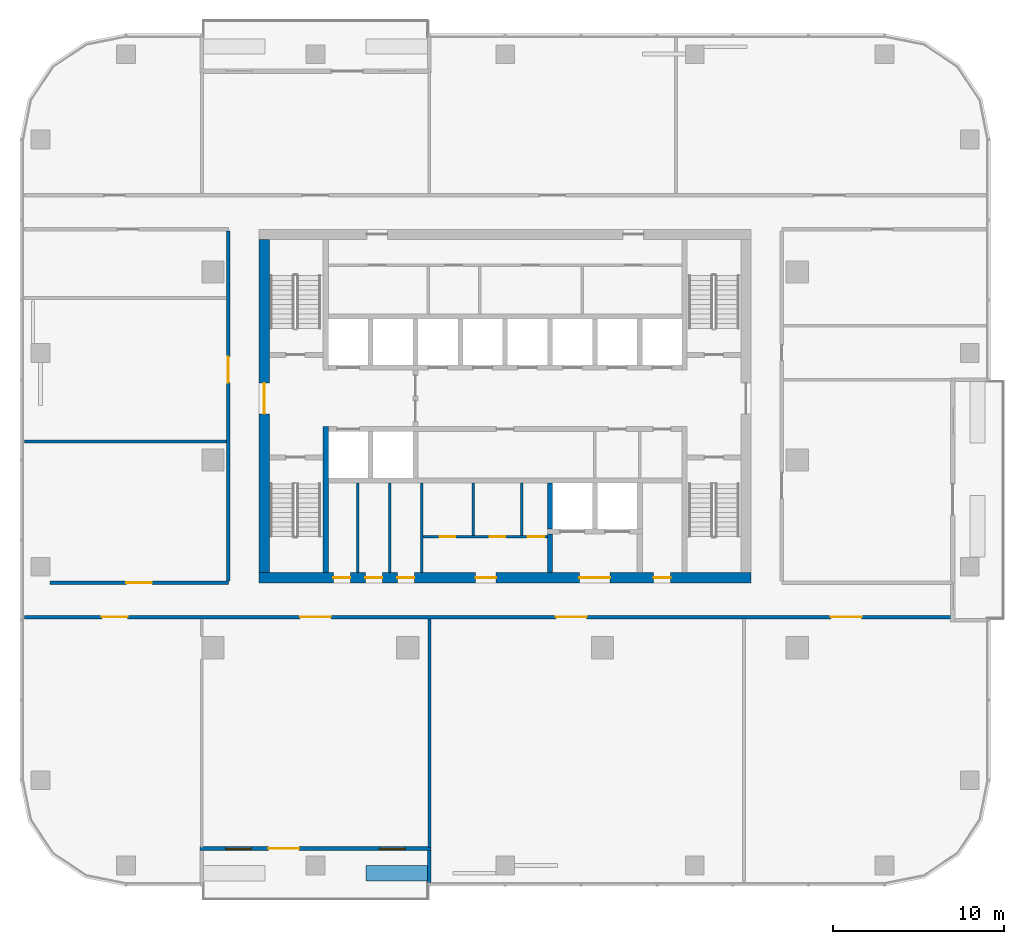
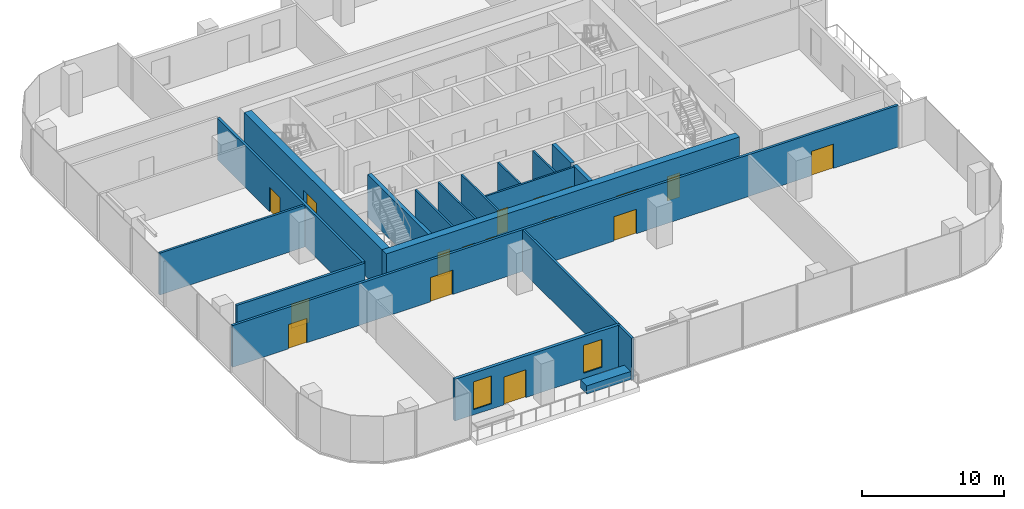
# One storey, part 7 of 14: 19 walls, 17 doors, 2 windows, 19 openings.
"""IFC4 building model written with IfcOpenShell, lengths in metres."""

from ifc_helpers import new_model, si_unit, direction, frame, frame_2d, origin, place, context, subcontext, project, spatial, rectangle, extrude, material, layer, layer_set, type_object, element, fill, save


model = new_model("IFC4")

# Units and contexts
model_context = context("Model", 3, precision=1e-05, world=origin(), true_north=direction((0.0, 1.0)))
body_context = subcontext(model_context, "Body", "Model", "MODEL_VIEW")
ifc_project = project(units=[si_unit("LENGTHUNIT", "METRE"), si_unit("AREAUNIT", "SQUARE_METRE"), si_unit("VOLUMEUNIT", "CUBIC_METRE"), si_unit("PLANEANGLEUNIT", "RADIAN"), si_unit("MASSUNIT", "GRAM", prefix="KILO")], contexts=[model_context])

# Site, building, storey
site_placement = place(None, origin())
site = spatial("IfcSite", under=ifc_project, at=site_placement, CompositionType="ELEMENT")
building_placement = place(site_placement, origin())
building = spatial("IfcBuilding", under=site, at=building_placement, Name="Mopane Tessera Tower", CompositionType="ELEMENT")
storey_placement = place(building_placement, frame((0.0, 0.0, 231.0)))
storey = spatial("IfcBuildingStorey", under=building, at=storey_placement, Name="L49", CompositionType="ELEMENT", Elevation=231.0)

# Walls
ifc_material_1 = material(Name="Fire-rated gypsum board partition")
ifc_layer_1 = layer(ifc_material_1, 0.14990234375)
ifc_layer_set_1 = layer_set([ifc_layer_1], Name="Fire-rated gypsum board partition")
wall_type_1 = type_object("IfcWallType", Name="Core room partition 150 mm", PredefinedType="PARTITIONING", material=ifc_layer_set_1)
for number, where, z_axis, x_axis, name in (
    (1, (-8.625, -6.60009765625, 0.0), (0.0, 0.0, 1.0), (0.0, 1.0, 0.0), "L49 Room partition"),
    (2, (-6.75, -6.60009765625, 0.0), (0.0, 0.0, 1.0), (0.0, 1.0, 0.0), "L49 Room partition"),
    (3, (-4.875, -6.60009765625, 0.0), (0.0, 0.0, 1.0), (0.0, 1.0, 0.0), "L49 Room partition"),
):
    element("IfcWall", number, at=place(storey_placement, frame(where, z_axis=z_axis, x_axis=x_axis)), inside=storey, type_object=wall_type_1, Name=name, PredefinedType="PARTITIONING", context=body_context, shape_type="SweptSolid", body=[
        extrude(rectangle(XDim=5.25, YDim=0.14990234375, at=frame_2d((2.625, 0.0))), origin(), (0.0, 0.0, 1.0), 3.699951171875),
    ])

# Wall, openings, doors
wall_1_placement = place(storey_placement, frame((-4.800048828125, -4.5, 0.0), z_axis=(0.0, 0.0, 1.0), x_axis=(1.0, 0.0, 0.0)))
wall_1 = element("IfcWall", 4, at=wall_1_placement, inside=storey, type_object=wall_type_1, Name="L49 WC partition", PredefinedType="PARTITIONING", context=body_context, shape_type="SweptSolid", body=[
    extrude(rectangle(XDim=7.275146484375, YDim=0.14990234375, at=frame_2d((3.6376953125, 0.0))), origin(), (0.0, 0.0, 1.0), 3.699951171875),
])
opening_1_placement = place(wall_1_placement, frame((0.97509765625, 0.0, 0.0)))
opening_1 = element("IfcOpeningElement", 5, at=opening_1_placement, cuts=wall_1, Name="Opening WD1", PredefinedType="OPENING", context=body_context, shape_type="SweptSolid", body=[
    extrude(rectangle(XDim=0.89990234375, YDim=2.10009765625, at=frame_2d((0.449951171875, 1.050048828125))), frame((0.0, 0.0869140625, 0.0), z_axis=(0.0, -1.0, 0.0), x_axis=(1.0, 0.0, 0.0)), (0.0, 0.0, 1.0), 0.173828125),
])
opening_2_placement = place(wall_1_placement, frame((3.89990234375, 0.0, 0.0)))
opening_2 = element("IfcOpeningElement", 6, at=opening_2_placement, cuts=wall_1, Name="Opening WD1", PredefinedType="OPENING", context=body_context, shape_type="SweptSolid", body=[
    extrude(rectangle(XDim=0.89990234375, YDim=2.10009765625, at=frame_2d((0.449951171875, 1.050048828125))), frame((0.0, 0.0869140625, 0.0), z_axis=(0.0, -1.0, 0.0), x_axis=(1.0, 0.0, 0.0)), (0.0, 0.0, 1.0), 0.173828125),
])
opening_3_placement = place(wall_1_placement, frame((6.125, 0.0, 0.0)))
opening_3 = element("IfcOpeningElement", 7, at=opening_3_placement, cuts=wall_1, Name="Opening WD2", PredefinedType="OPENING", context=body_context, shape_type="SweptSolid", body=[
    extrude(rectangle(XDim=0.949951171875, YDim=2.10009765625, at=frame_2d((0.47509765625, 1.050048828125))), frame((0.0, 0.0869140625, 0.0), z_axis=(0.0, -1.0, 0.0), x_axis=(1.0, 0.0, 0.0)), (0.0, 0.0, 1.0), 0.173828125),
])
ifc_material_2 = material(Name="Timber door", Category="wood")
door_type_1 = type_object("IfcDoorType", Name="Accessible WC door 950 x 2100", OperationType="SINGLE_SWING_LEFT", PredefinedType="DOOR", material=ifc_material_2)
door_1_placement = place(opening_3_placement, origin())
door_1 = element("IfcDoor", 8, at=door_1_placement, inside=storey, type_object=door_type_1, Name="L49 Accessible WC door", OperationType="SINGLE_SWING_LEFT", OverallHeight=2.10009765625, OverallWidth=0.949951171875, PredefinedType="DOOR", context=body_context, shape_type="SweptSolid", body=[
    extrude(rectangle(XDim=0.949951171875, YDim=2.10009765625, at=frame_2d((0.47509765625, 1.050048828125))), frame((0.0, 0.02490234375, 0.0), z_axis=(0.0, -1.0, 0.0), x_axis=(1.0, 0.0, 0.0)), (0.0, 0.0, 1.0), 0.050048828125),
])
fill(opening_3, door_1)
ifc_material_3 = material(Name="Timber door", Category="wood")
door_type_2 = type_object("IfcDoorType", Name="WC cubicle door 900 x 2100", OperationType="SINGLE_SWING_LEFT", PredefinedType="DOOR", material=ifc_material_3)
door_2_placement = place(opening_1_placement, origin())
door_2 = element("IfcDoor", 9, at=door_2_placement, inside=storey, type_object=door_type_2, Name="L49 Men's WC door", OperationType="SINGLE_SWING_LEFT", OverallHeight=2.10009765625, OverallWidth=0.89990234375, PredefinedType="DOOR", context=body_context, shape_type="SweptSolid", body=[
    extrude(rectangle(XDim=0.89990234375, YDim=2.10009765625, at=frame_2d((0.449951171875, 1.050048828125))), frame((0.0, 0.02490234375, 0.0), z_axis=(0.0, -1.0, 0.0), x_axis=(1.0, 0.0, 0.0)), (0.0, 0.0, 1.0), 0.050048828125),
])
fill(opening_1, door_2)
door_3_placement = place(opening_2_placement, origin())
door_3 = element("IfcDoor", 10, at=door_3_placement, inside=storey, type_object=door_type_2, Name="L49 Women's WC door", OperationType="SINGLE_SWING_LEFT", OverallHeight=2.10009765625, OverallWidth=0.89990234375, PredefinedType="DOOR", context=body_context, shape_type="SweptSolid", body=[
    extrude(rectangle(XDim=0.89990234375, YDim=2.10009765625, at=frame_2d((0.449951171875, 1.050048828125))), frame((0.0, 0.02490234375, 0.0), z_axis=(0.0, -1.0, 0.0), x_axis=(1.0, 0.0, 0.0)), (0.0, 0.0, 1.0), 0.050048828125),
])
fill(opening_2, door_3)

# Walls
for number, where, z_axis, x_axis, name in (
    (11, (-1.875, -4.425048828125, 0.0), (0.0, 0.0, 1.0), (0.0, 1.0, 0.0), "L49 WC partition"),
    (12, (0.97509765625, -4.425048828125, 0.0), (0.0, 0.0, 1.0), (0.0, 1.0, 0.0), "L49 WC partition"),
):
    element("IfcWall", number, at=place(storey_placement, frame(where, z_axis=z_axis, x_axis=x_axis)), inside=storey, type_object=wall_type_1, Name=name, PredefinedType="PARTITIONING", context=body_context, shape_type="SweptSolid", body=[
        extrude(rectangle(XDim=3.074951171875, YDim=0.14990234375, at=frame_2d((1.53759765625, 0.0))), origin(), (0.0, 0.0, 1.0), 3.699951171875),
    ])

# Wall, openings, doors
ifc_material_4 = material(Name="Concrete C70/85", Category="concrete")
ifc_layer_2 = layer(ifc_material_4, 0.60009765625)
ifc_layer_set_2 = layer_set([ifc_layer_2], Name="Concrete C70/85")
wall_type_2 = type_object("IfcWallType", Name="Core shear wall 600 mm", PredefinedType="SHEAR", material=ifc_layer_set_2)
wall_2_placement = place(storey_placement, frame((-14.39990234375, -6.89990234375, 0.0), z_axis=(0.0, 0.0, 1.0), x_axis=(1.0, 0.0, 0.0)))
wall_2 = element("IfcWall", 13, at=wall_2_placement, inside=storey, type_object=wall_type_2, Name="L49 Core wall south", PredefinedType="SHEAR", context=body_context, shape_type="SweptSolid", body=[
    extrude(rectangle(XDim=28.7998046875, YDim=0.60009765625, at=frame_2d((14.39990234375, 0.0))), origin(), (0.0, 0.0, 1.0), 3.699951171875),
])
opening_4_placement = place(wall_2_placement, frame((4.33740234375, 0.0, 0.0)))
opening_4 = element("IfcOpeningElement", 14, at=opening_4_placement, cuts=wall_2, Name="Opening RD1", PredefinedType="OPENING", context=body_context, shape_type="SweptSolid", body=[
    extrude(rectangle(XDim=1.0, YDim=2.10009765625, at=frame_2d((0.5, 1.050048828125))), frame((0.0, 0.31201171875, 0.0), z_axis=(0.0, -1.0, 0.0), x_axis=(1.0, 0.0, 0.0)), (0.0, 0.0, 1.0), 0.6240234375),
])
opening_5_placement = place(wall_2_placement, frame((6.21240234375, 0.0, 0.0)))
opening_5 = element("IfcOpeningElement", 15, at=opening_5_placement, cuts=wall_2, Name="Opening RD1", PredefinedType="OPENING", context=body_context, shape_type="SweptSolid", body=[
    extrude(rectangle(XDim=1.0, YDim=2.10009765625, at=frame_2d((0.5, 1.050048828125))), frame((0.0, 0.31201171875, 0.0), z_axis=(0.0, -1.0, 0.0), x_axis=(1.0, 0.0, 0.0)), (0.0, 0.0, 1.0), 0.6240234375),
])
opening_6_placement = place(wall_2_placement, frame((8.08740234375, 0.0, 0.0)))
opening_6 = element("IfcOpeningElement", 16, at=opening_6_placement, cuts=wall_2, Name="Opening RD1", PredefinedType="OPENING", context=body_context, shape_type="SweptSolid", body=[
    extrude(rectangle(XDim=1.0, YDim=2.10009765625, at=frame_2d((0.5, 1.050048828125))), frame((0.0, 0.31201171875, 0.0), z_axis=(0.0, -1.0, 0.0), x_axis=(1.0, 0.0, 0.0)), (0.0, 0.0, 1.0), 0.6240234375),
])
opening_7_placement = place(wall_2_placement, frame((12.675048828125, 0.0, 0.0)))
opening_7 = element("IfcOpeningElement", 17, at=opening_7_placement, cuts=wall_2, Name="Opening WD3", PredefinedType="OPENING", context=body_context, shape_type="SweptSolid", body=[
    extrude(rectangle(XDim=1.199951171875, YDim=2.10009765625, at=frame_2d((0.60009765625, 1.050048828125))), frame((0.0, 0.31201171875, 0.0), z_axis=(0.0, -1.0, 0.0), x_axis=(1.0, 0.0, 0.0)), (0.0, 0.0, 1.0), 0.6240234375),
])
opening_8_placement = place(wall_2_placement, frame((18.75, 0.0, 0.0)))
opening_8 = element("IfcOpeningElement", 18, at=opening_8_placement, cuts=wall_2, Name="Opening SD2", PredefinedType="OPENING", context=body_context, shape_type="SweptSolid", body=[
    extrude(rectangle(XDim=1.800048828125, YDim=2.10009765625, at=frame_2d((0.89990234375, 1.050048828125))), frame((0.0, 0.31201171875, 0.0), z_axis=(0.0, -1.0, 0.0), x_axis=(1.0, 0.0, 0.0)), (0.0, 0.0, 1.0), 0.6240234375),
])
opening_9_placement = place(wall_2_placement, frame((23.08740234375, 0.0, 0.0)))
opening_9 = element("IfcOpeningElement", 19, at=opening_9_placement, cuts=wall_2, Name="Opening RD1", PredefinedType="OPENING", context=body_context, shape_type="SweptSolid", body=[
    extrude(rectangle(XDim=1.0, YDim=2.10009765625, at=frame_2d((0.5, 1.050048828125))), frame((0.0, 0.31201171875, 0.0), z_axis=(0.0, -1.0, 0.0), x_axis=(1.0, 0.0, 0.0)), (0.0, 0.0, 1.0), 0.6240234375),
])
ifc_material_5 = material(Name="Steel fire door", Category="steel")
door_type_3 = type_object("IfcDoorType", Name="Core entrance double door 1800 x 2100", OperationType="DOUBLE_DOOR_SINGLE_SWING", PredefinedType="DOOR", material=ifc_material_5)
door_4_placement = place(opening_8_placement, origin())
door_4 = element("IfcDoor", 20, at=door_4_placement, inside=storey, type_object=door_type_3, Name="L49 Service lobby door", OperationType="DOUBLE_DOOR_SINGLE_SWING", OverallHeight=2.10009765625, OverallWidth=1.800048828125, PredefinedType="DOOR", context=body_context, shape_type="SweptSolid", body=[
    extrude(rectangle(XDim=1.800048828125, YDim=2.10009765625, at=frame_2d((0.89990234375, 1.050048828125))), frame((0.0, 0.02490234375, 0.0), z_axis=(0.0, -1.0, 0.0), x_axis=(1.0, 0.0, 0.0)), (0.0, 0.0, 1.0), 0.050048828125),
])
fill(opening_8, door_4)
ifc_material_6 = material(Name="Timber door", Category="wood")
door_type_4 = type_object("IfcDoorType", Name="Core room door 1000 x 2100", OperationType="SINGLE_SWING_LEFT", PredefinedType="DOOR", material=ifc_material_6)
door_5_placement = place(opening_4_placement, origin())
door_5 = element("IfcDoor", 21, at=door_5_placement, inside=storey, type_object=door_type_4, Name="L49 Room door", OperationType="SINGLE_SWING_LEFT", OverallHeight=2.10009765625, OverallWidth=1.0, PredefinedType="DOOR", context=body_context, shape_type="SweptSolid", body=[
    extrude(rectangle(XDim=1.0, YDim=2.10009765625, at=frame_2d((0.5, 1.050048828125))), frame((0.0, 0.02490234375, 0.0), z_axis=(0.0, -1.0, 0.0), x_axis=(1.0, 0.0, 0.0)), (0.0, 0.0, 1.0), 0.050048828125),
])
fill(opening_4, door_5)
door_6_placement = place(opening_5_placement, origin())
door_6 = element("IfcDoor", 22, at=door_6_placement, inside=storey, type_object=door_type_4, Name="L49 Room door", OperationType="SINGLE_SWING_LEFT", OverallHeight=2.10009765625, OverallWidth=1.0, PredefinedType="DOOR", context=body_context, shape_type="SweptSolid", body=[
    extrude(rectangle(XDim=1.0, YDim=2.10009765625, at=frame_2d((0.5, 1.050048828125))), frame((0.0, 0.02490234375, 0.0), z_axis=(0.0, -1.0, 0.0), x_axis=(1.0, 0.0, 0.0)), (0.0, 0.0, 1.0), 0.050048828125),
])
fill(opening_5, door_6)
door_7_placement = place(opening_6_placement, origin())
door_7 = element("IfcDoor", 23, at=door_7_placement, inside=storey, type_object=door_type_4, Name="L49 Room door", OperationType="SINGLE_SWING_LEFT", OverallHeight=2.10009765625, OverallWidth=1.0, PredefinedType="DOOR", context=body_context, shape_type="SweptSolid", body=[
    extrude(rectangle(XDim=1.0, YDim=2.10009765625, at=frame_2d((0.5, 1.050048828125))), frame((0.0, 0.02490234375, 0.0), z_axis=(0.0, -1.0, 0.0), x_axis=(1.0, 0.0, 0.0)), (0.0, 0.0, 1.0), 0.050048828125),
])
fill(opening_6, door_7)
door_8_placement = place(opening_9_placement, origin())
door_8 = element("IfcDoor", 24, at=door_8_placement, inside=storey, type_object=door_type_4, Name="L49 Room door", OperationType="SINGLE_SWING_LEFT", OverallHeight=2.10009765625, OverallWidth=1.0, PredefinedType="DOOR", context=body_context, shape_type="SweptSolid", body=[
    extrude(rectangle(XDim=1.0, YDim=2.10009765625, at=frame_2d((0.5, 1.050048828125))), frame((0.0, 0.02490234375, 0.0), z_axis=(0.0, -1.0, 0.0), x_axis=(1.0, 0.0, 0.0)), (0.0, 0.0, 1.0), 0.050048828125),
])
fill(opening_9, door_8)
ifc_material_7 = material(Name="Timber door", Category="wood")
door_type_5 = type_object("IfcDoorType", Name="WC lobby door 1200 x 2100", OperationType="SINGLE_SWING_LEFT", PredefinedType="DOOR", material=ifc_material_7)
door_9_placement = place(opening_7_placement, origin())
door_9 = element("IfcDoor", 25, at=door_9_placement, inside=storey, type_object=door_type_5, Name="L49 WC lobby door", OperationType="SINGLE_SWING_LEFT", OverallHeight=2.10009765625, OverallWidth=1.199951171875, PredefinedType="DOOR", context=body_context, shape_type="SweptSolid", body=[
    extrude(rectangle(XDim=1.199951171875, YDim=2.10009765625, at=frame_2d((0.60009765625, 1.050048828125))), frame((0.0, 0.02490234375, 0.0), z_axis=(0.0, -1.0, 0.0), x_axis=(1.0, 0.0, 0.0)), (0.0, 0.0, 1.0), 0.050048828125),
])
fill(opening_7, door_9)

# Wall, opening, door
wall_3_placement = place(storey_placement, frame((-14.10009765625, -6.60009765625, 0.0), z_axis=(0.0, 0.0, 1.0), x_axis=(0.0, 1.0, 0.0)))
wall_3 = element("IfcWall", 26, at=wall_3_placement, inside=storey, type_object=wall_type_2, Name="L49 Core wall west", PredefinedType="SHEAR", context=body_context, shape_type="SweptSolid", body=[
    extrude(rectangle(XDim=19.5, YDim=0.60009765625, at=frame_2d((9.75, 0.0))), origin(), (0.0, 0.0, 1.0), 3.699951171875),
])
opening_10_placement = place(wall_3_placement, frame((9.300048828125, 0.0, 0.0)))
opening_10 = element("IfcOpeningElement", 27, at=opening_10_placement, cuts=wall_3, Name="Opening SD2", PredefinedType="OPENING", context=body_context, shape_type="SweptSolid", body=[
    extrude(rectangle(XDim=1.800048828125, YDim=2.10009765625, at=frame_2d((0.89990234375, 1.050048828125))), frame((0.0, 0.31201171875, 0.0), z_axis=(0.0, -1.0, 0.0), x_axis=(1.0, 0.0, 0.0)), (0.0, 0.0, 1.0), 0.6240234375),
])
door_10_placement = place(opening_10_placement, origin())
door_10 = element("IfcDoor", 28, at=door_10_placement, inside=storey, type_object=door_type_3, Name="L49 Core entrance door west", OperationType="DOUBLE_DOOR_SINGLE_SWING", OverallHeight=2.10009765625, OverallWidth=1.800048828125, PredefinedType="DOOR", context=body_context, shape_type="SweptSolid", body=[
    extrude(rectangle(XDim=1.800048828125, YDim=2.10009765625, at=frame_2d((0.89990234375, 1.050048828125))), frame((0.0, 0.02490234375, 0.0), z_axis=(0.0, -1.0, 0.0), x_axis=(1.0, 0.0, 0.0)), (0.0, 0.0, 1.0), 0.050048828125),
])
fill(opening_10, door_10)

# Walls
ifc_material_8 = material(Name="Concrete C60/75", Category="concrete")
ifc_layer_3 = layer(ifc_material_8, 0.300048828125)
ifc_layer_set_3 = layer_set([ifc_layer_3], Name="Concrete C60/75")
wall_type_3 = type_object("IfcWallType", Name="Core spine wall 300 mm", PredefinedType="SHEAR", material=ifc_layer_set_3)
wall_4_placement = place(storey_placement, frame((-10.5, -6.60009765625, 0.0), z_axis=(0.0, 0.0, 1.0), x_axis=(0.0, 1.0, 0.0)))
element("IfcWall", 29, at=wall_4_placement, inside=storey, type_object=wall_type_3, Name="L49 Core spine wall", PredefinedType="SHEAR", context=body_context, shape_type="SweptSolid", body=[
    extrude(rectangle(XDim=8.550048828125, YDim=0.300048828125, at=frame_2d((4.27490234375, 0.0))), origin(), (0.0, 0.0, 1.0), 3.699951171875),
])
ifc_material_9 = material(Name="Gypsum board on staggered steel studs, double layer each face, acoustic mineral wool infill", Category="steel")
ifc_layer_4 = layer(ifc_material_9, 0.175048828125)
ifc_layer_set_4 = layer_set([ifc_layer_4], Name="Gypsum board on staggered steel studs, double layer each face, acoustic mineral wool infill")
wall_type_4 = type_object("IfcWallType", Name="Gypsum board acoustic partition 175, rated EI 60", PredefinedType="PARTITIONING", material=ifc_layer_set_4)
wall_5_placement = place(storey_placement, frame((-28.14990234375, 1.074951171875, 0.0), z_axis=(0.0, 0.0, 1.0), x_axis=(1.0, 0.0, 0.0)))
element("IfcWall", 30, at=wall_5_placement, inside=storey, type_object=wall_type_4, Name="Partition L49:003", PredefinedType="PARTITIONING", context=body_context, shape_type="SweptSolid", body=[
    extrude(rectangle(XDim=11.849853515625, YDim=0.175048828125, at=frame_2d((5.9248046875, 0.0))), origin(), (0.0, 0.0, 1.0), 3.60009765625),
])
wall_6_placement = place(storey_placement, frame((-4.43994140625, -22.699951171875, 0.0), z_axis=(0.0, 0.0, 1.0), x_axis=(0.0, 1.0, 0.0)))
element("IfcWall", 31, at=wall_6_placement, inside=storey, type_object=wall_type_4, Name="Partition L49:015", PredefinedType="PARTITIONING", context=body_context, shape_type="SweptSolid", body=[
    extrude(rectangle(XDim=13.39990234375, YDim=0.175048828125, at=frame_2d((6.699951171875, 0.0))), origin(), (0.0, 0.0, 1.0), 3.60009765625),
])

# Wall, openings, doors
ifc_material_10 = material(Name="Gypsum board on steel studs, two layers each face, mineral wool infill", Category="steel")
ifc_layer_5 = layer(ifc_material_10, 0.199951171875)
ifc_layer_set_5 = layer_set([ifc_layer_5], Name="Gypsum board on steel studs, two layers each face, mineral wool infill")
wall_type_5 = type_object("IfcWallType", Name="Gypsum board corridor wall 200, rated EI 60", PredefinedType="PARTITIONING", material=ifc_layer_set_5)
wall_7_placement = place(storey_placement, frame((-28.14990234375, -9.199951171875, 0.0), z_axis=(0.0, 0.0, 1.0), x_axis=(1.0, 0.0, 0.0)))
wall_7 = element("IfcWall", 32, at=wall_7_placement, inside=storey, type_object=wall_type_5, Name="Partition L49:000", PredefinedType="PARTITIONING", context=body_context, shape_type="SweptSolid", body=[
    extrude(rectangle(XDim=54.2998046875, YDim=0.199951171875, at=frame_2d((27.14990234375, 0.0))), origin(), (0.0, 0.0, 1.0), 3.60009765625),
])
opening_11_placement = place(wall_7_placement, frame((47.21240234375, 0.0, 0.0)))
opening_11 = element("IfcOpeningElement", 33, at=opening_11_placement, cuts=wall_7, Name="Opening L49-02", PredefinedType="OPENING", context=body_context, shape_type="SweptSolid", body=[
    extrude(rectangle(XDim=1.800048828125, YDim=2.10009765625, at=frame_2d((0.89990234375, 1.050048828125))), frame((0.0, 0.112060546875, 0.0), z_axis=(0.0, -1.0, 0.0), x_axis=(1.0, 0.0, 0.0)), (0.0, 0.0, 1.0), 0.223876953125),
])
opening_12_placement = place(wall_7_placement, frame((16.14990234375, 0.0, 0.0)))
opening_12 = element("IfcOpeningElement", 34, at=opening_12_placement, cuts=wall_7, Name="Opening L49-03", PredefinedType="OPENING", context=body_context, shape_type="SweptSolid", body=[
    extrude(rectangle(XDim=1.800048828125, YDim=2.10009765625, at=frame_2d((0.89990234375, 1.050048828125))), frame((0.0, 0.112060546875, 0.0), z_axis=(0.0, -1.0, 0.0), x_axis=(1.0, 0.0, 0.0)), (0.0, 0.0, 1.0), 0.223876953125),
])
opening_13_placement = place(wall_7_placement, frame((4.544921875, 0.0, 0.0)))
opening_13 = element("IfcOpeningElement", 35, at=opening_13_placement, cuts=wall_7, Name="Opening L49-08", PredefinedType="OPENING", context=body_context, shape_type="SweptSolid", body=[
    extrude(rectangle(XDim=1.5, YDim=2.10009765625, at=frame_2d((0.75, 1.050048828125))), frame((0.0, 0.112060546875, 0.0), z_axis=(0.0, -1.0, 0.0), x_axis=(1.0, 0.0, 0.0)), (0.0, 0.0, 1.0), 0.223876953125),
])
opening_14_placement = place(wall_7_placement, frame((31.117431640625, 0.0, 0.0)))
opening_14 = element("IfcOpeningElement", 36, at=opening_14_placement, cuts=wall_7, Name="Opening L49-14", PredefinedType="OPENING", context=body_context, shape_type="SweptSolid", body=[
    extrude(rectangle(XDim=1.800048828125, YDim=2.10009765625, at=frame_2d((0.89990234375, 1.050048828125))), frame((0.0, 0.112060546875, 0.0), z_axis=(0.0, -1.0, 0.0), x_axis=(1.0, 0.0, 0.0)), (0.0, 0.0, 1.0), 0.223876953125),
])
ifc_material_11 = material(Name="Timber veneered steel-framed fire door", Category="steel")
door_type_6 = type_object("IfcDoorType", Name="Fire door pair FD60 1500 x 2100", OperationType="DOUBLE_DOOR_SINGLE_SWING", PredefinedType="DOOR", material=ifc_material_11)
door_11_placement = place(opening_13_placement, origin())
door_11 = element("IfcDoor", 37, at=door_11_placement, inside=storey, type_object=door_type_6, Name="Door L49-08", ObjectType="D17A", OperationType="DOUBLE_DOOR_SINGLE_SWING", OverallHeight=2.10009765625, OverallWidth=1.5, PredefinedType="DOOR", context=body_context, shape_type="SweptSolid", body=[
    extrude(rectangle(XDim=1.5, YDim=2.10009765625, at=frame_2d((0.75, 1.050048828125))), frame((0.0, 0.02490234375, 0.0), z_axis=(0.0, -1.0, 0.0), x_axis=(1.0, 0.0, 0.0)), (0.0, 0.0, 1.0), 0.050048828125),
])
fill(opening_13, door_11)
ifc_material_12 = material(Name="Timber veneered steel-framed fire door", Category="steel")
door_type_7 = type_object("IfcDoorType", Name="Fire door pair FD60 1800 x 2100", OperationType="DOUBLE_DOOR_SINGLE_SWING", PredefinedType="DOOR", material=ifc_material_12)
door_12_placement = place(opening_11_placement, origin())
door_12 = element("IfcDoor", 38, at=door_12_placement, inside=storey, type_object=door_type_7, Name="Door L49-02", ObjectType="D20A", OperationType="DOUBLE_DOOR_SINGLE_SWING", OverallHeight=2.10009765625, OverallWidth=1.800048828125, PredefinedType="DOOR", context=body_context, shape_type="SweptSolid", body=[
    extrude(rectangle(XDim=1.800048828125, YDim=2.10009765625, at=frame_2d((0.89990234375, 1.050048828125))), frame((0.0, 0.02490234375, 0.0), z_axis=(0.0, -1.0, 0.0), x_axis=(1.0, 0.0, 0.0)), (0.0, 0.0, 1.0), 0.050048828125),
])
fill(opening_11, door_12)
door_13_placement = place(opening_12_placement, origin())
door_13 = element("IfcDoor", 39, at=door_13_placement, inside=storey, type_object=door_type_7, Name="Door L49-03", ObjectType="D20A", OperationType="DOUBLE_DOOR_SINGLE_SWING", OverallHeight=2.10009765625, OverallWidth=1.800048828125, PredefinedType="DOOR", context=body_context, shape_type="SweptSolid", body=[
    extrude(rectangle(XDim=1.800048828125, YDim=2.10009765625, at=frame_2d((0.89990234375, 1.050048828125))), frame((0.0, 0.02490234375, 0.0), z_axis=(0.0, -1.0, 0.0), x_axis=(1.0, 0.0, 0.0)), (0.0, 0.0, 1.0), 0.050048828125),
])
fill(opening_12, door_13)
door_14_placement = place(opening_14_placement, origin())
door_14 = element("IfcDoor", 40, at=door_14_placement, inside=storey, type_object=door_type_7, Name="Door L49-14", ObjectType="D20A", OperationType="DOUBLE_DOOR_SINGLE_SWING", OverallHeight=2.10009765625, OverallWidth=1.800048828125, PredefinedType="DOOR", context=body_context, shape_type="SweptSolid", body=[
    extrude(rectangle(XDim=1.800048828125, YDim=2.10009765625, at=frame_2d((0.89990234375, 1.050048828125))), frame((0.0, 0.02490234375, 0.0), z_axis=(0.0, -1.0, 0.0), x_axis=(1.0, 0.0, 0.0)), (0.0, 0.0, 1.0), 0.050048828125),
])
fill(opening_14, door_14)

# Wall, opening, door
wall_8_placement = place(storey_placement, frame((-26.64990234375, -7.199951171875, 0.0), z_axis=(0.0, 0.0, 1.0), x_axis=(1.0, 0.0, 0.0)))
wall_8 = element("IfcWall", 41, at=wall_8_placement, inside=storey, type_object=wall_type_5, Name="Partition L49:001", PredefinedType="PARTITIONING", context=body_context, shape_type="SweptSolid", body=[
    extrude(rectangle(XDim=10.449951171875, YDim=0.199951171875, at=frame_2d((5.22509765625, 0.0))), origin(), (0.0, 0.0, 1.0), 3.60009765625),
])
opening_15_placement = place(wall_8_placement, frame((4.47509765625, 0.0, 0.0)))
opening_15 = element("IfcOpeningElement", 42, at=opening_15_placement, cuts=wall_8, Name="Opening L49-09", PredefinedType="OPENING", context=body_context, shape_type="SweptSolid", body=[
    extrude(rectangle(XDim=1.5, YDim=2.10009765625, at=frame_2d((0.75, 1.050048828125))), frame((0.0, 0.112060546875, 0.0), z_axis=(0.0, -1.0, 0.0), x_axis=(1.0, 0.0, 0.0)), (0.0, 0.0, 1.0), 0.223876953125),
])
door_15_placement = place(opening_15_placement, origin())
door_15 = element("IfcDoor", 43, at=door_15_placement, inside=storey, type_object=door_type_6, Name="Door L49-09", ObjectType="D17A", OperationType="DOUBLE_DOOR_SINGLE_SWING", OverallHeight=2.10009765625, OverallWidth=1.5, PredefinedType="DOOR", context=body_context, shape_type="SweptSolid", body=[
    extrude(rectangle(XDim=1.5, YDim=2.10009765625, at=frame_2d((0.75, 1.050048828125))), frame((0.0, 0.02490234375, 0.0), z_axis=(0.0, -1.0, 0.0), x_axis=(1.0, 0.0, 0.0)), (0.0, 0.0, 1.0), 0.050048828125),
])
fill(opening_15, door_15)

wall_9_placement = place(storey_placement, frame((-16.199951171875, -7.10009765625, 0.0), z_axis=(0.0, 0.0, 1.0), x_axis=(0.0, 1.0, 0.0)))
wall_9 = element("IfcWall", 44, at=wall_9_placement, inside=storey, type_object=wall_type_5, Name="Partition L49:013", PredefinedType="PARTITIONING", context=body_context, shape_type="SweptSolid", body=[
    extrude(rectangle(XDim=20.5, YDim=0.199951171875, at=frame_2d((10.25, 0.0))), origin(), (0.0, 0.0, 1.0), 3.60009765625),
])
opening_16_placement = place(wall_9_placement, frame((11.6298828125, 0.0, 0.0)))
opening_16 = element("IfcOpeningElement", 45, at=opening_16_placement, cuts=wall_9, Name="Opening L49-13", PredefinedType="OPENING", context=body_context, shape_type="SweptSolid", body=[
    extrude(rectangle(XDim=1.5, YDim=2.10009765625, at=frame_2d((0.75, 1.050048828125))), frame((0.0, 0.112060546875, 0.0), z_axis=(0.0, -1.0, 0.0), x_axis=(1.0, 0.0, 0.0)), (0.0, 0.0, 1.0), 0.223876953125),
])
door_16_placement = place(opening_16_placement, origin())
door_16 = element("IfcDoor", 46, at=door_16_placement, inside=storey, type_object=door_type_6, Name="Door L49-13", ObjectType="D17A", OperationType="DOUBLE_DOOR_SINGLE_SWING", OverallHeight=2.10009765625, OverallWidth=1.5, PredefinedType="DOOR", context=body_context, shape_type="SweptSolid", body=[
    extrude(rectangle(XDim=1.5, YDim=2.10009765625, at=frame_2d((0.75, 1.050048828125))), frame((0.0, 0.02490234375, 0.0), z_axis=(0.0, -1.0, 0.0), x_axis=(1.0, 0.0, 0.0)), (0.0, 0.0, 1.0), 0.050048828125),
])
fill(opening_16, door_16)

# Walls
ifc_material_13 = material(Name="Concrete C50/60", Category="concrete")
ifc_layer_6 = layer(ifc_material_13, 0.300048828125)
ifc_layer_set_6 = layer_set([ifc_layer_6], Name="Concrete C50/60")
wall_type_6 = type_object("IfcWallType", Name="Lift and stair shaft wall 300 mm", PredefinedType="SOLIDWALL", material=ifc_layer_set_6)
wall_10_placement = place(storey_placement, frame((2.625, -4.050048828125, 0.0), z_axis=(0.0, 0.0, 1.0), x_axis=(0.0, 1.0, 0.0)))
element("IfcWall", 47, at=wall_10_placement, inside=storey, type_object=wall_type_6, Name="L49 Lift shaft wall", PredefinedType="SOLIDWALL", context=body_context, shape_type="SweptSolid", body=[
    extrude(rectangle(XDim=2.699951171875, YDim=0.300048828125, at=frame_2d((1.35009765625, 0.0))), origin(), (0.0, 0.0, 1.0), 3.699951171875),
])
ifc_material_14 = material(Name="Concrete C50/60", Category="concrete")
ifc_layer_7 = layer(ifc_material_14, 0.300048828125)
ifc_layer_set_7 = layer_set([ifc_layer_7], Name="Concrete C50/60")
wall_type_7 = type_object("IfcWallType", Name="Lobby and refuge room wall 300 mm", PredefinedType="SOLIDWALL", material=ifc_layer_set_7)
wall_11_placement = place(storey_placement, frame((2.625, -6.60009765625, 0.0), z_axis=(0.0, 0.0, 1.0), x_axis=(0.0, 1.0, 0.0)))
element("IfcWall", 48, at=wall_11_placement, inside=storey, type_object=wall_type_7, Name="L49 Service lobby wall", PredefinedType="SOLIDWALL", context=body_context, shape_type="SweptSolid", body=[
    extrude(rectangle(XDim=2.25, YDim=0.300048828125, at=frame_2d((1.125, 0.0))), origin(), (0.0, 0.0, 1.0), 3.699951171875),
])
ifc_material_15 = material(Name="Reinforced concrete C32/40 with waterproofing", Category="concrete")
ifc_layer_8 = layer(ifc_material_15, 0.89990234375)
ifc_layer_set_8 = layer_set([ifc_layer_8], Name="Reinforced concrete C32/40 with waterproofing")
wall_type_8 = type_object("IfcWallType", Name="Planter trough 3600 x 900", PredefinedType="STANDARD", material=ifc_layer_set_8)
wall_12_placement = place(storey_placement, frame((-8.139892578125, -24.199951171875, 0.0), z_axis=(0.0, 0.0, 1.0), x_axis=(1.0, 0.0, 0.0)))
element("IfcWall", 49, at=wall_12_placement, inside=storey, type_object=wall_type_8, Name="e:nw:L49:N1:pl1", PredefinedType="STANDARD", context=body_context, shape_type="SweptSolid", body=[
    extrude(rectangle(XDim=3.599853515625, YDim=0.89990234375, at=frame_2d((1.7998046875, 0.0))), origin(), (0.0, 0.0, 1.0), 0.699951171875),
])
ifc_material_16 = material(Name="Blockwork with glazed tile facing", Category="masonry")
ifc_layer_9 = layer(ifc_material_16, 0.199951171875)
ifc_layer_set_9 = layer_set([ifc_layer_9], Name="Blockwork with glazed tile facing")
wall_type_9 = type_object("IfcWallType", Name="Terrace cheek wall 200", PredefinedType="STANDARD", material=ifc_layer_set_9)
wall_13_placement = place(storey_placement, frame((-4.43994140625, -24.75, 0.0), z_axis=(0.0, 0.0, 1.0), x_axis=(0.0, 1.0, 0.0)))
element("IfcWall", 50, at=wall_13_placement, inside=storey, type_object=wall_type_9, Name="e:nw:L49:N1:cheekb", PredefinedType="STANDARD", context=body_context, shape_type="SweptSolid", body=[
    extrude(rectangle(XDim=1.875, YDim=0.199951171875, at=frame_2d((0.9375, 0.0))), origin(), (0.0, 0.0, 1.0), 3.60009765625),
])

# Wall, openings, windows, door
ifc_material_17 = material(Name="Blockwork with ultramarine glazed tile facing", Category="masonry")
ifc_layer_10 = layer(ifc_material_17, 0.25)
ifc_layer_set_10 = layer_set([ifc_layer_10], Name="Blockwork with ultramarine glazed tile facing")
wall_type_10 = type_object("IfcWallType", Name="Tile-clad external wall 250, ultramarine", PredefinedType="STANDARD", material=ifc_layer_set_10)
wall_14_placement = place(storey_placement, frame((-17.860107421875, -22.75, 0.0), z_axis=(0.0, 0.0, 1.0), x_axis=(1.0, 0.0, 0.0)))
wall_14 = element("IfcWall", 51, at=wall_14_placement, inside=storey, type_object=wall_type_10, Name="e:nw:L49:N1:back", PredefinedType="STANDARD", context=body_context, shape_type="SweptSolid", body=[
    extrude(rectangle(XDim=13.52001953125, YDim=0.25, at=frame_2d((6.760009765625, 0.0))), origin(), (0.0, 0.0, 1.0), 3.60009765625),
])
opening_17_placement = place(wall_14_placement, frame((1.5, 0.0, 0.449951171875)))
opening_17 = element("IfcOpeningElement", 52, at=opening_17_placement, cuts=wall_14, Name="Opening NW491A", PredefinedType="OPENING", context=body_context, shape_type="SweptSolid", body=[
    extrude(rectangle(XDim=1.5, YDim=2.39990234375, at=frame_2d((0.75, 1.199951171875))), frame((0.0, 0.136962890625, 0.0), z_axis=(0.0, -1.0, 0.0), x_axis=(1.0, 0.0, 0.0)), (0.0, 0.0, 1.0), 0.27392578125),
])
opening_18_placement = place(wall_14_placement, frame((4.0, 0.0, 0.0)))
opening_18 = element("IfcOpeningElement", 53, at=opening_18_placement, cuts=wall_14, Name="Opening ND491", PredefinedType="OPENING", context=body_context, shape_type="SweptSolid", body=[
    extrude(rectangle(XDim=1.800048828125, YDim=2.39990234375, at=frame_2d((0.89990234375, 1.199951171875))), frame((0.0, 0.136962890625, 0.0), z_axis=(0.0, -1.0, 0.0), x_axis=(1.0, 0.0, 0.0)), (0.0, 0.0, 1.0), 0.27392578125),
])
opening_19_placement = place(wall_14_placement, frame((10.5, 0.0, 0.449951171875)))
opening_19 = element("IfcOpeningElement", 54, at=opening_19_placement, cuts=wall_14, Name="Opening NW491B", PredefinedType="OPENING", context=body_context, shape_type="SweptSolid", body=[
    extrude(rectangle(XDim=1.5, YDim=2.39990234375, at=frame_2d((0.75, 1.199951171875))), frame((0.0, 0.136962890625, 0.0), z_axis=(0.0, -1.0, 0.0), x_axis=(1.0, 0.0, 0.0)), (0.0, 0.0, 1.0), 0.27392578125),
])
ifc_material_18 = material(Name="Clear laminated glass", Category="glass")
window_type = type_object("IfcWindowType", Name="Fixed window 1500 x 2400", PartitioningType="SINGLE_PANEL", PredefinedType="WINDOW", material=ifc_material_18)
window_1_placement = place(opening_17_placement, origin())
window_1 = element("IfcWindow", 55, at=window_1_placement, inside=storey, type_object=window_type, Name="e:nw:L49:N1:win0", OverallHeight=2.39990234375, OverallWidth=1.5, PartitioningType="SINGLE_PANEL", PredefinedType="WINDOW", context=body_context, shape_type="SweptSolid", body=[
    extrude(rectangle(XDim=1.5, YDim=2.39990234375, at=frame_2d((0.75, 1.199951171875))), frame((0.0, 0.030029296875, 0.0), z_axis=(0.0, -1.0, 0.0), x_axis=(1.0, 0.0, 0.0)), (0.0, 0.0, 1.0), 0.06005859375),
])
fill(opening_17, window_1)
window_2_placement = place(opening_19_placement, origin())
window_2 = element("IfcWindow", 56, at=window_2_placement, inside=storey, type_object=window_type, Name="e:nw:L49:N1:win2", OverallHeight=2.39990234375, OverallWidth=1.5, PartitioningType="SINGLE_PANEL", PredefinedType="WINDOW", context=body_context, shape_type="SweptSolid", body=[
    extrude(rectangle(XDim=1.5, YDim=2.39990234375, at=frame_2d((0.75, 1.199951171875))), frame((0.0, 0.030029296875, 0.0), z_axis=(0.0, -1.0, 0.0), x_axis=(1.0, 0.0, 0.0)), (0.0, 0.0, 1.0), 0.06005859375),
])
fill(opening_19, window_2)
ifc_material_19 = material(Name="Aluminium and clear glass", Category="aluminium")
door_type_8 = type_object("IfcDoorType", Name="Terrace double door 1800 x 2400", OperationType="DOUBLE_DOOR_SINGLE_SWING", PredefinedType="DOOR", material=ifc_material_19)
door_17_placement = place(opening_18_placement, origin())
door_17 = element("IfcDoor", 57, at=door_17_placement, inside=storey, type_object=door_type_8, Name="e:nw:L49:N1:door", ObjectType="D1", OperationType="DOUBLE_DOOR_SINGLE_SWING", OverallHeight=2.39990234375, OverallWidth=1.800048828125, PredefinedType="DOOR", context=body_context, shape_type="SweptSolid", body=[
    extrude(rectangle(XDim=1.800048828125, YDim=2.39990234375, at=frame_2d((0.89990234375, 1.199951171875))), frame((0.0, 0.02490234375, 0.0), z_axis=(0.0, -1.0, 0.0), x_axis=(1.0, 0.0, 0.0)), (0.0, 0.0, 1.0), 0.050048828125),
])
fill(opening_18, door_17)

save(model, "model.ifc")
